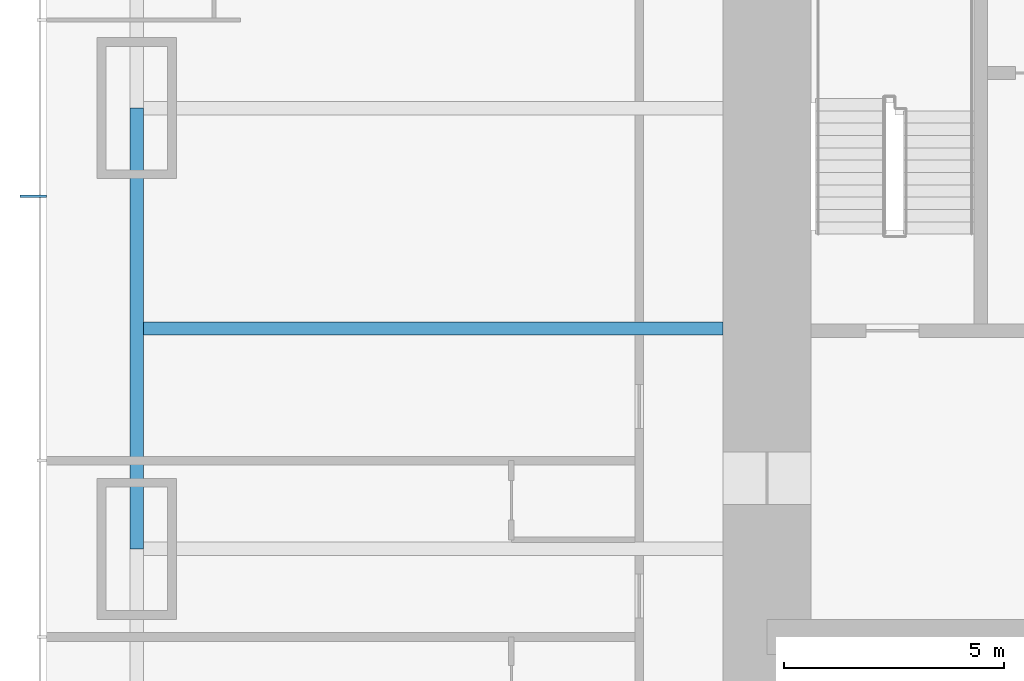
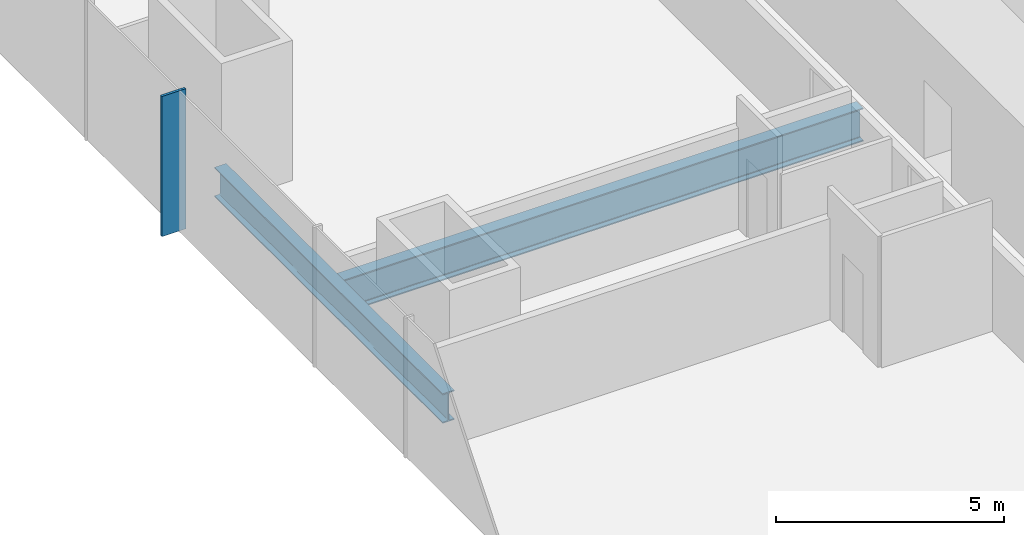
# One storey, part 3 of 20: 2 beams, 1 member, 1 element without a shape of its own.
"""IFC4 building model written with IfcOpenShell, lengths in metres."""

from ifc_helpers import new_model, si_unit, direction, frame, origin, origin_2d, place, context, subcontext, project, spatial, rectangle, i_section, extrude, material, material_profile, profile_set, type_object, element, aggregate, save


model = new_model("IFC4")

# Units and contexts
model_context = context("Model", 3, precision=1e-05, world=origin(), true_north=direction((0.0, 1.0)))
body_context = subcontext(model_context, "Body", "Model", "MODEL_VIEW")
ifc_project = project(units=[si_unit("LENGTHUNIT", "METRE"), si_unit("AREAUNIT", "SQUARE_METRE"), si_unit("VOLUMEUNIT", "CUBIC_METRE"), si_unit("PLANEANGLEUNIT", "RADIAN"), si_unit("MASSUNIT", "GRAM", prefix="KILO")], contexts=[model_context])

# Site, building, storey
site_placement = place(None, origin())
site = spatial("IfcSite", under=ifc_project, at=site_placement, CompositionType="ELEMENT")
building_placement = place(site_placement, origin())
building = spatial("IfcBuilding", under=site, at=building_placement, Name="Khuree Lantern Residences", CompositionType="ELEMENT")
storey_placement = place(building_placement, frame((0.0, 0.0, 24.75)))
storey = spatial("IfcBuildingStorey", under=building, at=storey_placement, Name="L05", CompositionType="ELEMENT", Elevation=24.75)

# Beams
ifc_material_1 = material(Name="Steel S355", Category="steel")
ifc_material_profile_1 = material_profile(ifc_material_1, i_section(OverallWidth=0.300048828125, OverallDepth=0.889892578125, WebThickness=0.01611328125, FlangeThickness=0.030029296875, FilletRadius=0.030029296875, at=origin_2d()), Name="HE 900 A")
ifc_profile_set_1 = profile_set([ifc_material_profile_1], Name="Steel S355")
beam_type_1 = type_object("IfcBeamType", Name="B-11 SECONDARY BEAM HE 900 A", PredefinedType="BEAM", material=ifc_profile_set_1)
beam_1_placement = place(storey_placement, frame((-29.800048828125, -5.0, -0.695068359375), z_axis=(1.0, 0.0, 0.0), x_axis=(0.0, 1.0, 0.0)))
element("IfcBeam", 1, at=beam_1_placement, inside=storey, type_object=beam_type_1, Name="Secondary beam W3", PredefinedType="BEAM", context=body_context, shape_type="SweptSolid", body=[
    extrude(i_section(OverallWidth=0.300048828125, OverallDepth=0.889892578125, WebThickness=0.01611328125, FlangeThickness=0.030029296875, FilletRadius=0.030029296875, at=origin_2d()), origin(), (0.0, 0.0, 1.0), 13.300048828125),
])
ifc_material_profile_2 = material_profile(ifc_material_1, i_section(OverallWidth=0.300048828125, OverallDepth=0.7900390625, WebThickness=0.014892578125, FlangeThickness=0.028076171875, FilletRadius=0.030029296875, at=origin_2d()), Name="HE 800 A")
ifc_profile_set_2 = profile_set([ifc_material_profile_2], Name="Steel S355")
beam_type_2 = type_object("IfcBeamType", Name="E-11 SPANDREL BEAM HE 800 A", PredefinedType="SPANDREL", material=ifc_profile_set_2)
beam_2_placement = place(storey_placement, frame((-29.800048828125, -10.0, -0.64501953125), z_axis=(0.0, 1.0, 0.0), x_axis=(-1.0, 0.0, 0.0)))
element("IfcBeam", 2, at=beam_2_placement, inside=storey, type_object=beam_type_2, Name="Spandrel beam W3", PredefinedType="SPANDREL", context=body_context, shape_type="SweptSolid", body=[
    extrude(i_section(OverallWidth=0.300048828125, OverallDepth=0.7900390625, WebThickness=0.014892578125, FlangeThickness=0.028076171875, FilletRadius=0.030029296875, at=origin_2d()), origin(), (0.0, 0.0, 1.0), 10.0),
])

# Curtain wall, member
ifc_material_2 = material(Name="Bronze anodised aluminium", Category="aluminium")
curtain_wall_type = type_object("IfcCurtainWallType", Name="CW-T1 TOWER FACE CURTAIN WALL", PredefinedType="USERDEFINED", material=ifc_material_2)
curtain_wall_placement = place(storey_placement, origin())
curtain_wall = element("IfcCurtainWall", 3, at=curtain_wall_placement, inside=storey, type_object=curtain_wall_type, Name="L05 WEST FACE CURTAIN WALL", ObjectType="Stick-built curtain wall", PredefinedType="USERDEFINED")
ifc_material_profile_3 = material_profile(ifc_material_2, rectangle(XDim=0.06494140625, YDim=0.60009765625, at=origin_2d()), Name="F1 65X600")
ifc_profile_set_3 = profile_set([ifc_material_profile_3], Name="Bronze anodised aluminium")
member_type = type_object("IfcMemberType", Name="F1 BRONZE FIN MULLION TOWER 65X600", PredefinedType="MULLION", material=ifc_profile_set_3)
member_placement = place(storey_placement, frame((-32.14990234375, -2.0, 0.0), z_axis=(0.0, 0.0, 1.0), x_axis=(0.0, -1.0, 0.0)))
member = element("IfcMember", 4, at=member_placement, type_object=member_type, Name="L05 WEST FACE FIN MULLION 38", PredefinedType="MULLION", context=body_context, shape_type="SweptSolid", body=[
    extrude(rectangle(XDim=0.06494140625, YDim=0.60009765625, at=origin_2d()), origin(), (0.0, 0.0, 1.0), 3.75),
])
aggregate(curtain_wall, [member])

save(model, "model.ifc")
